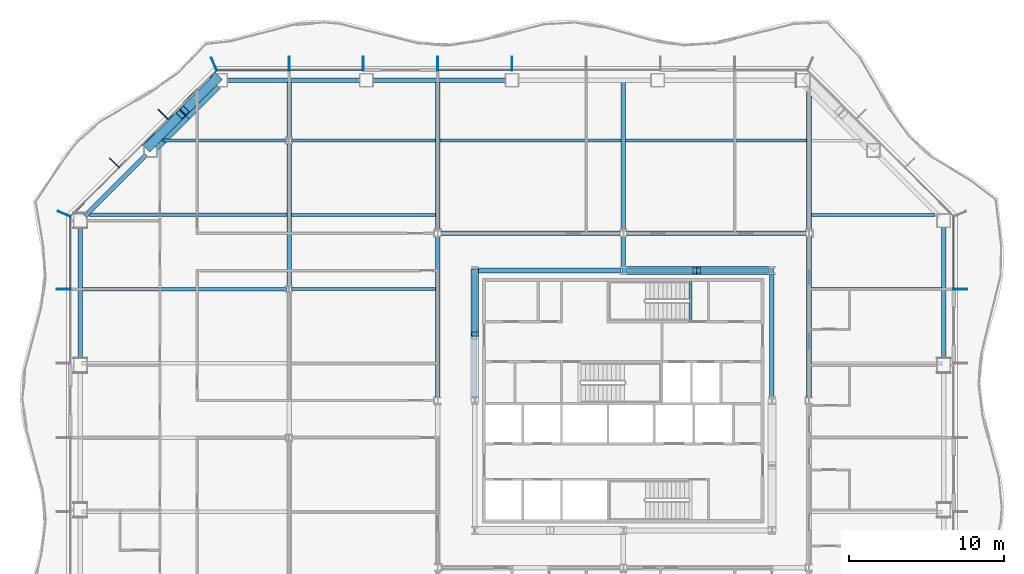
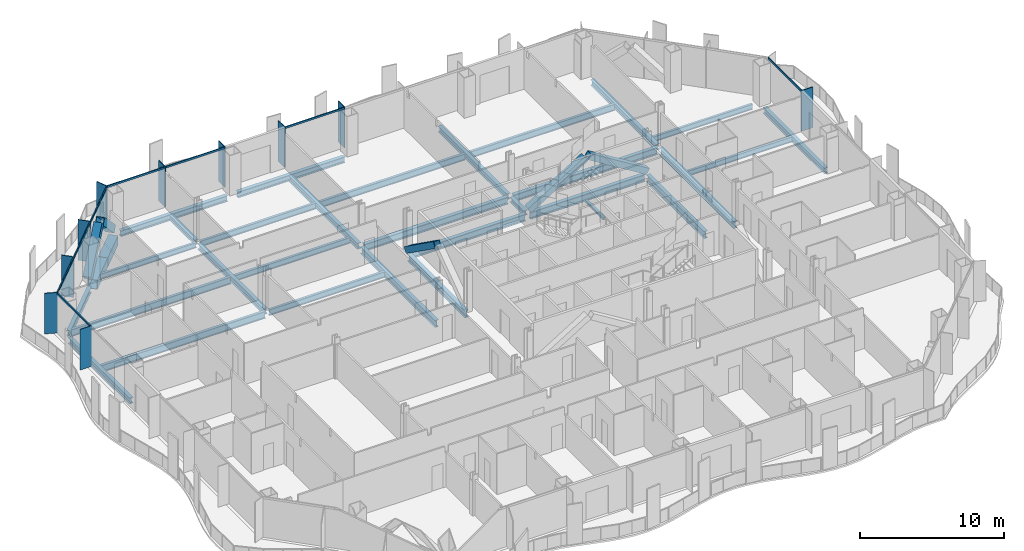
# One storey, part 3 of 20: 32 beams, 23 members, 4 elements without a shape of their own.
"""IFC4 building model written with IfcOpenShell, lengths in metres."""

import ifcopenshell
import ifcopenshell.guid

model = None  # the IFC model being written
_history = None  # IfcOwnerHistory: only IFC2X3 demands one
_inside = {}  # id of a spatial element -> (the spatial element, [elements in it])
_under = {}  # id of a project, library or spatial element -> (it, [spatial elements below it])
_declared = {}  # id of a project -> (the project, [libraries it declares])
_typed = {}  # id of a type object -> (the type object, [elements of that type])
_made_of = {}  # id of a material, layer set ... -> (it, [elements and type objects made of it])


def new_model(schema):
    """Start an empty IFC model of exactly this schema.

    Asked for "IFC4X3", IfcOpenShell would pick the latest addendum, in which some entities
    have other attributes; the version numbers below select the first issue.
    IFC2X3 requires an IfcOwnerHistory on every rooted entity: one is made here for all.
    """
    global model, _history
    if schema == "IFC4X3":
        model = ifcopenshell.file(schema_version=(4, 3, 0, 0))
    else:
        model = ifcopenshell.file(schema=schema)
    _inside.clear()
    _under.clear()
    _declared.clear()
    _typed.clear()
    _made_of.clear()
    _history = None
    if model.schema == "IFC2X3":
        org = make("IfcOrganization", Name="unknown")
        user = make(
            "IfcPersonAndOrganization",
            ThePerson=make("IfcPerson", FamilyName="unknown"),
            TheOrganization=org,
        )
        app = make(
            "IfcApplication",
            ApplicationDeveloper=org,
            Version="unknown",
            ApplicationFullName="unknown",
            ApplicationIdentifier="unknown",
        )
        _history = make(
            "IfcOwnerHistory",
            OwningUser=user,
            OwningApplication=app,
            ChangeAction="ADDED",
            CreationDate=0,
        )
    return model


def make(cls, **values):
    """One entity of the class cls with the attributes given. An attribute that is None is left unset."""
    return model.create_entity(
        cls, **{name: value for name, value in values.items() if value is not None}
    )


def rooted(cls, **values):
    """An entity with a GlobalId (a new one), such as an element, a storey or a relation."""
    return make(cls, GlobalId=ifcopenshell.guid.new(), OwnerHistory=_history, **values)


def si_unit(unit_type, name, prefix=None):
    """IfcSIUnit, for example si_unit("LENGTHUNIT", "METRE", prefix="MILLI")."""
    return make("IfcSIUnit", UnitType=unit_type, Prefix=prefix, Name=name)


def assignment(units):
    """IfcUnitAssignment: the units of a project."""
    return None if units is None else make("IfcUnitAssignment", Units=units)


def point(xyz):
    """IfcCartesianPoint."""
    return None if xyz is None else make("IfcCartesianPoint", Coordinates=xyz)


def direction(xyz):
    """IfcDirection."""
    return None if xyz is None else make("IfcDirection", DirectionRatios=xyz)


def frame(location, z_axis=None, x_axis=None):
    """IfcAxis2Placement3D, a coordinate frame: its origin and axes. An axis left out is left unset."""
    return make(
        "IfcAxis2Placement3D",
        Location=point(location),
        Axis=direction(z_axis),
        RefDirection=direction(x_axis),
    )


def frame_2d(location, x_axis=None):
    """IfcAxis2Placement2D, a coordinate frame in the plane: its origin and x axis."""
    return make(
        "IfcAxis2Placement2D", Location=point(location), RefDirection=direction(x_axis)
    )


def origin():
    """The frame at (0, 0, 0) with its axes left unset."""
    return frame((0.0, 0.0, 0.0))


def origin_2d():
    """The frame at (0, 0) in the plane with its x axis left unset."""
    return frame_2d((0.0, 0.0))


def place(relative_to, where):
    """IfcLocalPlacement: puts the frame where relative to a parent placement (None: the world)."""
    return make(
        "IfcLocalPlacement", PlacementRelTo=relative_to, RelativePlacement=where
    )


def context(
    kind, dimensions, precision=None, world=None, true_north=None, identifier=None
):
    """IfcGeometricRepresentationContext, for example the 3D "Model" context."""
    return make(
        "IfcGeometricRepresentationContext",
        ContextIdentifier=identifier,
        ContextType=kind,
        CoordinateSpaceDimension=dimensions,
        Precision=precision,
        WorldCoordinateSystem=world,
        TrueNorth=true_north,
    )


def subcontext(parent, identifier, kind, view, scale=None):
    """IfcGeometricRepresentationSubContext, for example "Body" below "Model"."""
    return make(
        "IfcGeometricRepresentationSubContext",
        ContextIdentifier=identifier,
        ContextType=kind,
        ParentContext=parent,
        TargetScale=scale,
        TargetView=view,
    )


def project(units=None, contexts=None):
    """IfcProject with its units and contexts."""
    return rooted(
        "IfcProject",
        Name="project",
        RepresentationContexts=contexts,
        UnitsInContext=assignment(units),
    )


def spatial(cls, under=None, at=None, **own):
    """A site, building, storey or space (cls), placed at a placement, below another one or the project."""
    s = rooted(cls, ObjectPlacement=at, **own)
    if under is not None:
        _under.setdefault(under.id(), (under, []))[1].append(s)
    return s


def profile(cls, at=None, kind="AREA", **sizes):
    """A parametric profile (cls). Its sizes go by their IFC names, for example OverallWidth=200.0."""
    return make(cls, ProfileType=kind, Position=at, **sizes)


def rectangle(**sizes):
    """IfcRectangleProfileDef."""
    return profile("IfcRectangleProfileDef", **sizes)


def hollow_rectangle(**sizes):
    """IfcRectangleHollowProfileDef."""
    return profile("IfcRectangleHollowProfileDef", **sizes)


def i_section(**sizes):
    """IfcIShapeProfileDef."""
    return profile("IfcIShapeProfileDef", **sizes)


def extrude(swept, where, along, depth):
    """IfcExtrudedAreaSolid: the profile swept, set in the frame where, extruded along a direction by depth."""
    return make(
        "IfcExtrudedAreaSolid",
        SweptArea=swept,
        Position=where,
        ExtrudedDirection=direction(along),
        Depth=depth,
    )


def shape(context_of_items, identifier, shape_type, items):
    """IfcShapeRepresentation: the items that make up one representation, for example the "Body"."""
    return make(
        "IfcShapeRepresentation",
        ContextOfItems=context_of_items,
        RepresentationIdentifier=identifier,
        RepresentationType=shape_type,
        Items=items,
    )


def material(Name=None, Category=None):
    """IfcMaterial."""
    return make("IfcMaterial", Name=Name, Category=Category)


def material_profile(
    of_material, cross_section, Name=None, Category=None, Priority=None
):
    """IfcMaterialProfile: a cross section and its material."""
    return make(
        "IfcMaterialProfile",
        Name=Name,
        Material=of_material,
        Profile=cross_section,
        Priority=Priority,
        Category=Category,
    )


def profile_set(profiles, Name=None, composite=None):
    """IfcMaterialProfileSet."""
    return make(
        "IfcMaterialProfileSet",
        Name=Name,
        MaterialProfiles=profiles,
        CompositeProfile=composite,
    )


def made_of(thing, what):
    """Note that an element or type object is made of a material, layer set ...; save() writes the relation."""
    if what is not None:
        _made_of.setdefault(what.id(), (what, []))[1].append(thing)
    return thing


def type_object(cls, material=None, **own):
    """A type object (cls), such as IfcWallType, which elements share."""
    return made_of(rooted(cls, **own), material)


def element(
    cls,
    number,
    at=None,
    inside=None,
    cuts=None,
    type_object=None,
    material=None,
    context=None,
    identifier="Body",
    shape_type=None,
    held_by="IfcProductDefinitionShape",
    body=None,
    shapes=None,
    **own,
):
    """One element of the class cls, such as IfcWall. Its Tag is "e" and its number.

    at: its placement. inside: the storey or other place that contains it. cuts: it is an
    opening in that element (IfcRelVoidsElement). A single representation is given by context,
    identifier, shape_type and body (its items); several are given by shapes. held_by: the class
    of the entity that holds the representations. save() writes the other relations.
    """
    e = rooted(cls, Tag="e%d" % number, ObjectPlacement=at, **own)
    if body is not None:
        shapes = [shape(context, identifier, shape_type, body)]
    if shapes is not None:
        e.Representation = make(held_by, Representations=shapes)
    if inside is not None:
        _inside.setdefault(inside.id(), (inside, []))[1].append(e)
    if cuts is not None:
        rooted(
            "IfcRelVoidsElement", RelatingBuildingElement=cuts, RelatedOpeningElement=e
        )
    if type_object is not None:
        _typed.setdefault(type_object.id(), (type_object, []))[1].append(e)
    return made_of(e, material)


def aggregate(whole, parts):
    """IfcRelAggregates: a whole, such as a stair, and the parts it consists of."""
    return rooted("IfcRelAggregates", RelatingObject=whole, RelatedObjects=parts)


def save(model, path):
    """Write the relations noted so far, then the file.

    IfcRelAggregates (storeys below a building ...), IfcRelContainedInSpatialStructure (elements
    in a storey), IfcRelDefinesByType, IfcRelAssociatesMaterial and IfcRelDeclares: one each for
    every whole, place, type object, material and project.
    """
    for whole, parts in _under.values():
        aggregate(whole, parts)
    for where, things in _inside.values():
        rooted(
            "IfcRelContainedInSpatialStructure",
            RelatedElements=things,
            RelatingStructure=where,
        )
    for kind, things in _typed.values():
        rooted("IfcRelDefinesByType", RelatedObjects=things, RelatingType=kind)
    for what, things in _made_of.values():
        rooted("IfcRelAssociatesMaterial", RelatedObjects=things, RelatingMaterial=what)
    for by, libraries in _declared.values():
        rooted("IfcRelDeclares", RelatingContext=by, RelatedDefinitions=libraries)
    model.write(path)


model = new_model("IFC4")

# Units and contexts
model_context = context("Model", 3, precision=1e-05, world=origin(), true_north=direction((0.0, 1.0)))
body_context = subcontext(model_context, "Body", "Model", "MODEL_VIEW")
ifc_project = project(units=[si_unit("LENGTHUNIT", "METRE"), si_unit("AREAUNIT", "SQUARE_METRE"), si_unit("VOLUMEUNIT", "CUBIC_METRE"), si_unit("PLANEANGLEUNIT", "RADIAN"), si_unit("MASSUNIT", "GRAM", prefix="KILO")], contexts=[model_context])

# Site, building, storey
site_placement = place(None, origin())
site = spatial("IfcSite", under=ifc_project, at=site_placement, CompositionType="ELEMENT")
building_placement = place(site_placement, origin())
building = spatial("IfcBuilding", under=site, at=building_placement, Name="Cairn Pilgrim Tower", CompositionType="ELEMENT")
storey_placement = place(building_placement, frame((0.0, 0.0, 83.39990234375)))
storey = spatial("IfcBuildingStorey", under=building, at=storey_placement, Name="L19", CompositionType="ELEMENT", Elevation=83.39990234375)

# Members
ifc_material_1 = material(Name="Structural steel S460M", Category="steel")
ifc_material_profile_1 = material_profile(ifc_material_1, hollow_rectangle(XDim=0.5, YDim=0.5, WallThickness=0.030029296875, at=origin_2d()), Name="BOX 500x500x30")
ifc_profile_set_1 = profile_set([ifc_material_profile_1], Name="Structural steel S460M")
member_type_1 = type_object("IfcMemberType", Name="BOX 500x500x30 BRACE", PredefinedType="BRACE", material=ifc_profile_set_1)
member_1_placement = place(storey_placement, frame((16.75634765625, 10.800048828125, 0.10009765625), z_axis=(-0.851002408489, 0.0, 0.525161785305), x_axis=(0.0, -1.0, 0.0)))
element("IfcMember", 1, at=member_1_placement, inside=storey, type_object=member_type_1, Name="KB-3A", PredefinedType="BRACE", context=body_context, shape_type="SweptSolid", body=[
    extrude(hollow_rectangle(XDim=0.5, YDim=0.5, WallThickness=0.030029296875, at=origin_2d()), origin(), (0.0, 0.0, 1.0), 5.526611328125),
])
member_2_placement = place(storey_placement, frame((7.24365234375, 10.800048828125, 0.10009765625), z_axis=(0.851007515624, 0.0, 0.525153509321), x_axis=(0.0, 1.0, 0.0)))
element("IfcMember", 2, at=member_2_placement, inside=storey, type_object=member_type_1, Name="KB-3B", PredefinedType="BRACE", context=body_context, shape_type="SweptSolid", body=[
    extrude(hollow_rectangle(XDim=0.5, YDim=0.5, WallThickness=0.030029296875, at=origin_2d()), origin(), (0.0, 0.0, 1.0), 5.37646484375),
])
member_3_placement = place(storey_placement, frame((-2.39990234375, 10.75634765625, 0.10009765625), z_axis=(0.0, -0.814198726233, 0.580586284889), x_axis=(1.0, 0.0, 0.0)))
element("IfcMember", 3, at=member_3_placement, inside=storey, type_object=member_type_1, Name="KB-4A", PredefinedType="BRACE", context=body_context, shape_type="SweptSolid", body=[
    extrude(hollow_rectangle(XDim=0.5, YDim=0.5, WallThickness=0.030029296875, at=origin_2d()), origin(), (0.0, 0.0, 1.0), 4.99658203125),
])
ifc_material_profile_2 = material_profile(ifc_material_1, hollow_rectangle(XDim=0.60009765625, YDim=0.60009765625, WallThickness=0.034912109375, at=origin_2d()), Name="BOX 600x600x35")
ifc_profile_set_2 = profile_set([ifc_material_profile_2], Name="Structural steel S460M")
member_type_2 = type_object("IfcMemberType", Name="BOX 600x600x35 BRACE", PredefinedType="BRACE", material=ifc_profile_set_2)
for number, where, z_axis, x_axis, name in (
    (4, (-19.078125, 23.2236328125, 0.150146484375), (-0.528943710525, -0.528943710525, 0.663654354459), (0.707106781187, -0.707106781187, 0.0), "XB-NW1-NW2-1"),
    (5, (-23.4873046875, 18.814697265625, 0.150146484375), (0.528960912345, 0.52889942671, 0.663675937214), (-0.70706568108, 0.707147878904, 0.0), "XB-NW1-NW2-2"),
):
    element("IfcMember", number, at=place(storey_placement, frame(where, z_axis=z_axis, x_axis=x_axis)), inside=storey, type_object=member_type_2, Name=name, PredefinedType="BRACE", context=body_context, shape_type="SweptSolid", body=[
        extrude(hollow_rectangle(XDim=0.60009765625, YDim=0.60009765625, WallThickness=0.034912109375, at=origin_2d()), origin(), (0.0, 0.0, 1.0), 3.970703125),
    ])

# Beams
ifc_material_2 = material(Name="Structural steel S355J2", Category="steel")
ifc_material_profile_3 = material_profile(ifc_material_2, hollow_rectangle(XDim=0.699951171875, YDim=0.800048828125, WallThickness=0.0400390625, at=origin_2d()), Name="BOX 700x800x40")
ifc_profile_set_3 = profile_set([ifc_material_profile_3], Name="Structural steel S355J2")
beam_type_1 = type_object("IfcBeamType", Name="BOX 700x800x40 RING GIRDER", PredefinedType="SPANDREL", material=ifc_profile_set_3)
beam_1_placement = place(storey_placement, frame((-19.113525390625, 22.813720703125, -0.5498046875), z_axis=(-0.707106781187, -0.707106781187, 0.0), x_axis=(0.707106781187, -0.707106781187, 0.0)))
element("IfcBeam", 6, at=beam_1_placement, inside=storey, type_object=beam_type_1, Name="RG1-NW1-NW2-1", PredefinedType="SPANDREL", context=body_context, shape_type="SweptSolid", body=[
    extrude(hollow_rectangle(XDim=0.699951171875, YDim=0.800048828125, WallThickness=0.0400390625, at=origin_2d()), origin(), (0.0, 0.0, 1.0), 2.802978515625),
])
beam_2_placement = place(storey_placement, frame((-21.095458984375, 20.831787109375, -0.5498046875), z_axis=(-0.707106781187, -0.707106781187, 0.0), x_axis=(0.707106781187, -0.707106781187, 0.0)))
element("IfcBeam", 7, at=beam_2_placement, inside=storey, type_object=beam_type_1, Name="RG1-NW1-NW2-2", PredefinedType="SPANDREL", context=body_context, shape_type="SweptSolid", body=[
    extrude(hollow_rectangle(XDim=0.699951171875, YDim=0.800048828125, WallThickness=0.0400390625, at=origin_2d()), origin(), (0.0, 0.0, 1.0), 2.802490234375),
])

# Curtain wall, member
ifc_material_3 = material(Name="Aluminium alloy 6063-T6 bronze anodised with Bronze tinted laminated low-E glass 8+16+8.8", Category="aluminium")
curtain_wall_type_1 = type_object("IfcCurtainWallType", Name="TOWER STICK CURTAIN WALL EW", PredefinedType="NOTDEFINED", material=ifc_material_3)
curtain_wall_1_placement = place(storey_placement, origin())
curtain_wall_1 = element("IfcCurtainWall", 8, at=curtain_wall_1_placement, inside=storey, type_object=curtain_wall_type_1, Name="Tower Stick Curtain Wall Ew E", PredefinedType="NOTDEFINED")
ifc_material_4 = material(Name="Aluminium alloy 6063-T6 bronze anodised", Category="aluminium")
ifc_material_profile_4 = material_profile(ifc_material_4, rectangle(XDim=0.89990234375, YDim=0.06005859375, at=origin_2d()), Name="FIN MULLION 60x900 BRONZE")
ifc_profile_set_4 = profile_set([ifc_material_profile_4], Name="Aluminium alloy 6063-T6 bronze anodised")
member_type_3 = type_object("IfcMemberType", Name="FIN MULLION 60x900 BRONZE", PredefinedType="MULLION", material=ifc_profile_set_4)
member_4_placement = place(storey_placement, frame((28.969970703125, 9.60009765625, 0.0), z_axis=(0.0, 0.0, 1.0), x_axis=(1.0, 0.0, 0.0)))
member_4 = element("IfcMember", 9, at=member_4_placement, type_object=member_type_3, Name="Fin mullion E6", PredefinedType="MULLION", context=body_context, shape_type="SweptSolid", body=[
    extrude(rectangle(XDim=0.89990234375, YDim=0.06005859375, at=origin_2d()), origin(), (0.0, 0.0, 1.0), 3.4501953125),
])

# Curtain wall, members
curtain_wall_type_2 = type_object("IfcCurtainWallType", Name="TOWER STICK CURTAIN WALL NS", PredefinedType="NOTDEFINED", material=ifc_material_3)
curtain_wall_2_placement = place(storey_placement, origin())
curtain_wall_2 = element("IfcCurtainWall", 10, at=curtain_wall_2_placement, inside=storey, type_object=curtain_wall_type_2, Name="Tower Stick Curtain Wall Ns N", PredefinedType="NOTDEFINED")
member_5_placement = place(storey_placement, frame((0.0, 24.169921875, 0.0), z_axis=(0.0, 0.0, 1.0), x_axis=(0.0, 1.0, 0.0)))
member_5 = element("IfcMember", 11, at=member_5_placement, type_object=member_type_3, Name="Fin mullion N5", PredefinedType="MULLION", context=body_context, shape_type="SweptSolid", body=[
    extrude(rectangle(XDim=0.89990234375, YDim=0.06005859375, at=origin_2d()), origin(), (0.0, 0.0, 1.0), 3.4501953125),
])
member_6_placement = place(storey_placement, frame((-4.800048828125, 24.169921875, 0.0), z_axis=(0.0, 0.0, 1.0), x_axis=(0.0, 1.0, 0.0)))
member_6 = element("IfcMember", 12, at=member_6_placement, type_object=member_type_3, Name="Fin mullion N6", PredefinedType="MULLION", context=body_context, shape_type="SweptSolid", body=[
    extrude(rectangle(XDim=0.89990234375, YDim=0.06005859375, at=origin_2d()), origin(), (0.0, 0.0, 1.0), 3.4501953125),
])
member_7_placement = place(storey_placement, frame((-9.60009765625, 24.169921875, 0.0), z_axis=(0.0, 0.0, 1.0), x_axis=(0.0, 1.0, 0.0)))
member_7 = element("IfcMember", 13, at=member_7_placement, type_object=member_type_3, Name="Fin mullion N7", PredefinedType="MULLION", context=body_context, shape_type="SweptSolid", body=[
    extrude(rectangle(XDim=0.89990234375, YDim=0.06005859375, at=origin_2d()), origin(), (0.0, 0.0, 1.0), 3.4501953125),
])
member_8_placement = place(storey_placement, frame((-14.39990234375, 24.169921875, 0.0), z_axis=(0.0, 0.0, 1.0), x_axis=(0.0, 1.0, 0.0)))
member_8 = element("IfcMember", 14, at=member_8_placement, type_object=member_type_3, Name="Fin mullion N8", PredefinedType="MULLION", context=body_context, shape_type="SweptSolid", body=[
    extrude(rectangle(XDim=0.89990234375, YDim=0.06005859375, at=origin_2d()), origin(), (0.0, 0.0, 1.0), 3.4501953125),
])

curtain_wall_type_3 = type_object("IfcCurtainWallType", Name="CHAMFER CORNER CURTAIN WALL", PredefinedType="NOTDEFINED", material=ifc_material_3)
curtain_wall_3_placement = place(storey_placement, origin())
curtain_wall_3 = element("IfcCurtainWall", 15, at=curtain_wall_3_placement, inside=storey, type_object=curtain_wall_type_3, Name="Chamfer Corner Curtain Wall NW", PredefinedType="NOTDEFINED")
member_9_placement = place(storey_placement, frame((-19.257080078125, 24.137939453125, 0.0), z_axis=(0.0, 0.0, 1.0), x_axis=(-0.382683432365, 0.923879532511, 0.0)))
member_9 = element("IfcMember", 16, at=member_9_placement, type_object=member_type_3, Name="Fin mullion NW1", PredefinedType="MULLION", context=body_context, shape_type="SweptSolid", body=[
    extrude(rectangle(XDim=0.89990234375, YDim=0.06005859375, at=origin_2d()), origin(), (0.0, 0.0, 1.0), 3.4501953125),
])
member_10_placement = place(storey_placement, frame((-22.544677734375, 20.895751953125, 0.0), z_axis=(0.0, 0.0, 1.0), x_axis=(-0.707106781187, 0.707106781187, 0.0)))
member_10 = element("IfcMember", 17, at=member_10_placement, type_object=member_type_3, Name="Fin mullion NW2", PredefinedType="MULLION", context=body_context, shape_type="SweptSolid", body=[
    extrude(rectangle(XDim=0.89990234375, YDim=0.06005859375, at=origin_2d()), origin(), (0.0, 0.0, 1.0), 3.4501953125),
])
member_11_placement = place(storey_placement, frame((-25.69580078125, 17.74462890625, 0.0), z_axis=(0.0, 0.0, 1.0), x_axis=(-0.707106781187, 0.707106781187, 0.0)))
member_11 = element("IfcMember", 18, at=member_11_placement, type_object=member_type_3, Name="Fin mullion NW3", PredefinedType="MULLION", context=body_context, shape_type="SweptSolid", body=[
    extrude(rectangle(XDim=0.89990234375, YDim=0.06005859375, at=origin_2d()), origin(), (0.0, 0.0, 1.0), 3.4501953125),
])

curtain_wall_4_placement = place(storey_placement, origin())
curtain_wall_4 = element("IfcCurtainWall", 19, at=curtain_wall_4_placement, inside=storey, type_object=curtain_wall_type_1, Name="Tower Stick Curtain Wall Ew W", PredefinedType="NOTDEFINED")
member_12_placement = place(storey_placement, frame((-28.93798828125, 14.457275390625, 0.0), z_axis=(0.0, 0.0, 1.0), x_axis=(-0.923879532511, 0.382683432365, 0.0)))
member_12 = element("IfcMember", 20, at=member_12_placement, type_object=member_type_3, Name="Fin mullion W1", PredefinedType="MULLION", context=body_context, shape_type="SweptSolid", body=[
    extrude(rectangle(XDim=0.89990234375, YDim=0.06005859375, at=origin_2d()), origin(), (0.0, 0.0, 1.0), 3.4501953125),
])
member_13_placement = place(storey_placement, frame((-28.969970703125, 9.60009765625, 0.0), z_axis=(0.0, 0.0, 1.0), x_axis=(-1.0, 0.0, 0.0)))
member_13 = element("IfcMember", 21, at=member_13_placement, type_object=member_type_3, Name="Fin mullion W2", PredefinedType="MULLION", context=body_context, shape_type="SweptSolid", body=[
    extrude(rectangle(XDim=0.89990234375, YDim=0.06005859375, at=origin_2d()), origin(), (0.0, 0.0, 1.0), 3.4501953125),
])

# Beams
ifc_material_profile_5 = material_profile(ifc_material_2, i_section(OverallWidth=0.300048828125, OverallDepth=0.39990234375, WebThickness=0.013427734375, FlangeThickness=0.02392578125, FilletRadius=0.027099609375, at=origin_2d()), Name="HEB 400")
ifc_profile_set_5 = profile_set([ifc_material_profile_5], Name="Structural steel S355J2")
beam_type_2 = type_object("IfcBeamType", Name="HEB 400 GIRDER", PredefinedType="BEAM", material=ifc_profile_set_5)
beam_3_placement = place(storey_placement, frame((-14.39990234375, 19.404541015625, -0.349853515625), z_axis=(0.0, 1.0, 0.0), x_axis=(-1.0, 0.0, 0.0)))
element("IfcBeam", 22, at=beam_3_placement, inside=storey, type_object=beam_type_2, Name="PG1-6", PredefinedType="BEAM", context=body_context, shape_type="SweptSolid", body=[
    extrude(i_section(OverallWidth=0.300048828125, OverallDepth=0.39990234375, WebThickness=0.013427734375, FlangeThickness=0.02392578125, FilletRadius=0.027099609375, at=origin_2d()), origin(), (0.0, 0.0, 1.0), 3.575439453125),
])
beam_4_placement = place(storey_placement, frame((7.199951171875, 11.0185546875, -0.349853515625), z_axis=(0.0, 1.0, 0.0), x_axis=(-1.0, 0.0, 0.0)))
element("IfcBeam", 23, at=beam_4_placement, inside=storey, type_object=beam_type_2, Name="PG3-E2", PredefinedType="BEAM", context=body_context, shape_type="SweptSolid", body=[
    extrude(i_section(OverallWidth=0.300048828125, OverallDepth=0.39990234375, WebThickness=0.013427734375, FlangeThickness=0.02392578125, FilletRadius=0.027099609375, at=origin_2d()), origin(), (0.0, 0.0, 1.0), 1.969482421875),
])
ifc_material_profile_6 = material_profile(ifc_material_2, i_section(OverallWidth=0.300048828125, OverallDepth=0.5, WebThickness=0.014404296875, FlangeThickness=0.028076171875, FilletRadius=0.027099609375, at=origin_2d()), Name="HEB 500")
ifc_profile_set_6 = profile_set([ifc_material_profile_6], Name="Structural steel S355J2")
beam_type_3 = type_object("IfcBeamType", Name="HEB 500 GIRDER", PredefinedType="BEAM", material=ifc_profile_set_6)
beam_5_placement = place(storey_placement, frame((-14.39990234375, 9.804443359375, -0.39990234375), z_axis=(0.0, 1.0, 0.0), x_axis=(-1.0, 0.0, 0.0)))
element("IfcBeam", 24, at=beam_5_placement, inside=storey, type_object=beam_type_3, Name="PG1-5", PredefinedType="BEAM", context=body_context, shape_type="SweptSolid", body=[
    extrude(i_section(OverallWidth=0.300048828125, OverallDepth=0.5, WebThickness=0.014404296875, FlangeThickness=0.028076171875, FilletRadius=0.027099609375, at=origin_2d()), origin(), (0.0, 0.0, 1.0), 9.191162109375),
])
for number, where, z_axis, x_axis, name in (
    (25, (-4.800048828125, 13.412109375, -0.39990234375), (0.0, 1.0, 0.0), (-1.0, 0.0, 0.0), "PG2-4"),
    (26, (7.199951171875, 13.412109375, -0.39990234375), (0.0, 1.0, 0.0), (-1.0, 0.0, 0.0), "PG3-2"),
):
    element("IfcBeam", number, at=place(storey_placement, frame(where, z_axis=z_axis, x_axis=x_axis)), inside=storey, type_object=beam_type_3, Name=name, PredefinedType="BEAM", context=body_context, shape_type="SweptSolid", body=[
        extrude(i_section(OverallWidth=0.300048828125, OverallDepth=0.5, WebThickness=0.014404296875, FlangeThickness=0.028076171875, FilletRadius=0.027099609375, at=origin_2d()), origin(), (0.0, 0.0, 1.0), 9.56787109375),
    ])
beam_6_placement = place(storey_placement, frame((19.199951171875, 13.412109375, -0.39990234375), z_axis=(0.0, 1.0, 0.0), x_axis=(-1.0, 0.0, 0.0)))
element("IfcBeam", 27, at=beam_6_placement, inside=storey, type_object=beam_type_3, Name="PG4-4", PredefinedType="BEAM", context=body_context, shape_type="SweptSolid", body=[
    extrude(i_section(OverallWidth=0.300048828125, OverallDepth=0.5, WebThickness=0.014404296875, FlangeThickness=0.028076171875, FilletRadius=0.027099609375, at=origin_2d()), origin(), (0.0, 0.0, 1.0), 9.133056640625),
])
ifc_material_profile_7 = material_profile(ifc_material_2, i_section(OverallWidth=0.300048828125, OverallDepth=0.5, WebThickness=0.014404296875, FlangeThickness=0.028076171875, FilletRadius=0.027099609375, at=origin_2d()), Name="HEB 500")
ifc_profile_set_7 = profile_set([ifc_material_profile_7], Name="Structural steel S355J2")
beam_type_4 = type_object("IfcBeamType", Name="HEB 500 RING GIRDER", PredefinedType="SPANDREL", material=ifc_profile_set_7)
beam_7_placement = place(storey_placement, frame((27.89990234375, 5.080810546875, -0.39990234375), z_axis=(0.0, 1.0, 0.0), x_axis=(-1.0, 0.0, 0.0)))
element("IfcBeam", 28, at=beam_7_placement, inside=storey, type_object=beam_type_4, Name="RG1-E3-NE1", PredefinedType="SPANDREL", context=body_context, shape_type="SweptSolid", body=[
    extrude(i_section(OverallWidth=0.300048828125, OverallDepth=0.5, WebThickness=0.014404296875, FlangeThickness=0.028076171875, FilletRadius=0.027099609375, at=origin_2d()), origin(), (0.0, 0.0, 1.0), 8.54150390625),
])
for number, where, z_axis, x_axis, name in (
    (29, (-0.405029296875, 23.10009765625, -0.39990234375), (-1.0, 0.0, 0.0), (0.0, -1.0, 0.0), "RG1-N3-N4"),
    (30, (-9.818603515625, 23.10009765625, -0.39990234375), (-1.0, 0.0, 0.0), (0.0, -1.0, 0.0), "RG1-N4-NW1"),
):
    element("IfcBeam", number, at=place(storey_placement, frame(where, z_axis=z_axis, x_axis=x_axis)), inside=storey, type_object=beam_type_4, Name=name, PredefinedType="SPANDREL", context=body_context, shape_type="SweptSolid", body=[
        extrude(i_section(OverallWidth=0.300048828125, OverallDepth=0.5, WebThickness=0.014404296875, FlangeThickness=0.028076171875, FilletRadius=0.027099609375, at=origin_2d()), origin(), (0.0, 0.0, 1.0), 8.603515625),
    ])
beam_8_placement = place(storey_placement, frame((-23.64990234375, 18.277099609375, -0.39990234375), z_axis=(-0.707128558756, -0.707085002947, 0.0), x_axis=(0.707085002947, -0.707128558756, 0.0)))
element("IfcBeam", 31, at=beam_8_placement, inside=storey, type_object=beam_type_4, Name="RG1-NW2-W1", PredefinedType="SPANDREL", context=body_context, shape_type="SweptSolid", body=[
    extrude(i_section(OverallWidth=0.300048828125, OverallDepth=0.5, WebThickness=0.014404296875, FlangeThickness=0.028076171875, FilletRadius=0.027099609375, at=origin_2d()), origin(), (0.0, 0.0, 1.0), 5.605224609375),
])
beam_9_placement = place(storey_placement, frame((-27.89990234375, 13.622314453125, -0.39990234375), z_axis=(0.0, -1.0, 0.0), x_axis=(1.0, 0.0, 0.0)))
element("IfcBeam", 32, at=beam_9_placement, inside=storey, type_object=beam_type_4, Name="RG1-W1-W2", PredefinedType="SPANDREL", context=body_context, shape_type="SweptSolid", body=[
    extrude(i_section(OverallWidth=0.300048828125, OverallDepth=0.5, WebThickness=0.014404296875, FlangeThickness=0.028076171875, FilletRadius=0.027099609375, at=origin_2d()), origin(), (0.0, 0.0, 1.0), 8.54150390625),
])
ifc_material_profile_8 = material_profile(ifc_material_2, i_section(OverallWidth=0.300048828125, OverallDepth=0.60009765625, WebThickness=0.015380859375, FlangeThickness=0.030029296875, FilletRadius=0.027099609375, at=origin_2d()), Name="HEB 600")
ifc_profile_set_8 = profile_set([ifc_material_profile_8], Name="Structural steel S355J2")
beam_type_5 = type_object("IfcBeamType", Name="HEB 600 CORE BEAM", PredefinedType="BEAM", material=ifc_profile_set_8)
beam_10_placement = place(storey_placement, frame((16.800048828125, 2.5966796875, -0.449951171875), z_axis=(0.0, 1.0, 0.0), x_axis=(-1.0, 0.0, 0.0)))
element("IfcBeam", 33, at=beam_10_placement, inside=storey, type_object=beam_type_5, Name="CB-4", PredefinedType="BEAM", context=body_context, shape_type="SweptSolid", body=[
    extrude(i_section(OverallWidth=0.300048828125, OverallDepth=0.60009765625, WebThickness=0.015380859375, FlangeThickness=0.030029296875, FilletRadius=0.027099609375, at=origin_2d()), origin(), (0.0, 0.0, 1.0), 8.0068359375),
])
beam_11_placement = place(storey_placement, frame((16.603271484375, 10.800048828125, -0.449951171875), z_axis=(-1.0, 0.0, 0.0), x_axis=(0.0, -1.0, 0.0)))
element("IfcBeam", 34, at=beam_11_placement, inside=storey, type_object=beam_type_5, Name="CB-5", PredefinedType="BEAM", context=body_context, shape_type="SweptSolid", body=[
    extrude(i_section(OverallWidth=0.300048828125, OverallDepth=0.60009765625, WebThickness=0.015380859375, FlangeThickness=0.030029296875, FilletRadius=0.027099609375, at=origin_2d()), origin(), (0.0, 0.0, 1.0), 9.20654296875),
])
beam_12_placement = place(storey_placement, frame((7.00341796875, 10.800048828125, -0.449951171875), z_axis=(-1.0, 0.0, 0.0), x_axis=(0.0, -1.0, 0.0)))
element("IfcBeam", 35, at=beam_12_placement, inside=storey, type_object=beam_type_5, Name="CB-6", PredefinedType="BEAM", context=body_context, shape_type="SweptSolid", body=[
    extrude(i_section(OverallWidth=0.300048828125, OverallDepth=0.60009765625, WebThickness=0.015380859375, FlangeThickness=0.030029296875, FilletRadius=0.027099609375, at=origin_2d()), origin(), (0.0, 0.0, 1.0), 9.206787109375),
])
beam_13_placement = place(storey_placement, frame((-2.39990234375, 10.603515625, -0.449951171875), z_axis=(0.0, -1.0, 0.0), x_axis=(1.0, 0.0, 0.0)))
element("IfcBeam", 36, at=beam_13_placement, inside=storey, type_object=beam_type_5, Name="CB-7", PredefinedType="BEAM", context=body_context, shape_type="SweptSolid", body=[
    extrude(i_section(OverallWidth=0.300048828125, OverallDepth=0.60009765625, WebThickness=0.015380859375, FlangeThickness=0.030029296875, FilletRadius=0.027099609375, at=origin_2d()), origin(), (0.0, 0.0, 1.0), 8.0068359375),
])
ifc_material_profile_9 = material_profile(ifc_material_2, i_section(OverallWidth=0.300048828125, OverallDepth=0.60009765625, WebThickness=0.015380859375, FlangeThickness=0.030029296875, FilletRadius=0.027099609375, at=origin_2d()), Name="HEB 600")
ifc_profile_set_9 = profile_set([ifc_material_profile_9], Name="Structural steel S355J2")
beam_type_6 = type_object("IfcBeamType", Name="HEB 600 GIRDER", PredefinedType="BEAM", material=ifc_profile_set_9)
for number, where, z_axis, x_axis, name in (
    (37, (-4.800048828125, 2.612060546875, -0.449951171875), (0.0, 1.0, 0.0), (-1.0, 0.0, 0.0), "PG2-3"),
    (38, (19.199951171875, 2.612060546875, -0.449951171875), (0.0, 1.0, 0.0), (-1.0, 0.0, 0.0), "PG4-3"),
):
    element("IfcBeam", number, at=place(storey_placement, frame(where, z_axis=z_axis, x_axis=x_axis)), inside=storey, type_object=beam_type_6, Name=name, PredefinedType="BEAM", context=body_context, shape_type="SweptSolid", body=[
        extrude(i_section(OverallWidth=0.300048828125, OverallDepth=0.60009765625, WebThickness=0.015380859375, FlangeThickness=0.030029296875, FilletRadius=0.027099609375, at=origin_2d()), origin(), (0.0, 0.0, 1.0), 10.3759765625),
    ])
ifc_material_profile_10 = material_profile(ifc_material_2, i_section(OverallWidth=0.300048828125, OverallDepth=0.60009765625, WebThickness=0.015380859375, FlangeThickness=0.030029296875, FilletRadius=0.027099609375, at=origin_2d()), Name="HEB 600")
ifc_profile_set_10 = profile_set([ifc_material_profile_10], Name="Structural steel S355J2")
beam_type_7 = type_object("IfcBeamType", Name="HEB 600 INNER GIRDER", PredefinedType="BEAM", material=ifc_profile_set_10)
for number, where, z_axis, x_axis, name in (
    (39, (-4.587890625, 13.199951171875, -0.449951171875), (1.0, 0.0, 0.0), (0.0, 1.0, 0.0), "IG2-1"),
    (40, (7.412109375, 13.199951171875, -0.449951171875), (1.0, 0.0, 0.0), (0.0, 1.0, 0.0), "IG2-2"),
):
    element("IfcBeam", number, at=place(storey_placement, frame(where, z_axis=z_axis, x_axis=x_axis)), inside=storey, type_object=beam_type_7, Name=name, PredefinedType="BEAM", context=body_context, shape_type="SweptSolid", body=[
        extrude(i_section(OverallWidth=0.300048828125, OverallDepth=0.60009765625, WebThickness=0.015380859375, FlangeThickness=0.030029296875, FilletRadius=0.027099609375, at=origin_2d()), origin(), (0.0, 0.0, 1.0), 11.575927734375),
    ])
ifc_material_profile_11 = material_profile(ifc_material_2, i_section(OverallWidth=0.18994140625, OverallDepth=0.449951171875, WebThickness=0.009521484375, FlangeThickness=0.0146484375, FilletRadius=0.02099609375, at=origin_2d()), Name="IPE 450")
ifc_profile_set_11 = profile_set([ifc_material_profile_11], Name="Structural steel S355J2")
beam_type_8 = type_object("IfcBeamType", Name="IPE 450 SECONDARY BEAM", PredefinedType="JOIST", material=ifc_profile_set_11)
beam_14_placement = place(storey_placement, frame((19.35009765625, 9.60009765625, -0.375), z_axis=(1.0, 0.0, 0.0), x_axis=(0.0, 1.0, 0.0)))
element("IfcBeam", 41, at=beam_14_placement, inside=storey, type_object=beam_type_8, Name="SB7-3", PredefinedType="JOIST", context=body_context, shape_type="SweptSolid", body=[
    extrude(i_section(OverallWidth=0.18994140625, OverallDepth=0.449951171875, WebThickness=0.009521484375, FlangeThickness=0.0146484375, FilletRadius=0.02099609375, at=origin_2d()), origin(), (0.0, 0.0, 1.0), 8.429931640625),
])
for number, where, z_axis, x_axis, name in (
    (42, (19.35009765625, 14.39990234375, -0.375), (1.0, 0.0, 0.0), (0.0, 1.0, 0.0), "SB8-3"),
    (43, (-22.545166015625, 19.199951171875, -0.375), (1.0, 0.0, 0.0), (0.0, 1.0, 0.0), "SB9-1"),
):
    element("IfcBeam", number, at=place(storey_placement, frame(where, z_axis=z_axis, x_axis=x_axis)), inside=storey, type_object=beam_type_8, Name=name, PredefinedType="JOIST", context=body_context, shape_type="SweptSolid", body=[
        extrude(i_section(OverallWidth=0.18994140625, OverallDepth=0.449951171875, WebThickness=0.009521484375, FlangeThickness=0.0146484375, FilletRadius=0.02099609375, at=origin_2d()), origin(), (0.0, 0.0, 1.0), 7.9951171875),
    ])
ifc_material_profile_12 = material_profile(ifc_material_2, i_section(OverallWidth=0.199951171875, OverallDepth=0.5, WebThickness=0.01025390625, FlangeThickness=0.01611328125, FilletRadius=0.02099609375, at=origin_2d()), Name="IPE 500")
ifc_profile_set_12 = profile_set([ifc_material_profile_12], Name="Structural steel S355J2")
beam_type_9 = type_object("IfcBeamType", Name="IPE 500 SECONDARY BEAM", PredefinedType="JOIST", material=ifc_profile_set_12)
for number, where, z_axis, x_axis, name in (
    (44, (-14.25, 9.60009765625, -0.39990234375), (1.0, 0.0, 0.0), (0.0, 1.0, 0.0), "SB7-2"),
    (45, (-14.25, 14.39990234375, -0.39990234375), (1.0, 0.0, 0.0), (0.0, 1.0, 0.0), "SB8-2"),
    (46, (-14.25, 19.199951171875, -0.39990234375), (1.0, 0.0, 0.0), (0.0, 1.0, 0.0), "SB9-2"),
):
    element("IfcBeam", number, at=place(storey_placement, frame(where, z_axis=z_axis, x_axis=x_axis)), inside=storey, type_object=beam_type_9, Name=name, PredefinedType="JOIST", context=body_context, shape_type="SweptSolid", body=[
        extrude(i_section(OverallWidth=0.199951171875, OverallDepth=0.5, WebThickness=0.01025390625, FlangeThickness=0.01611328125, FilletRadius=0.02099609375, at=origin_2d()), origin(), (0.0, 0.0, 1.0), 9.300048828125),
    ])
ifc_material_profile_13 = material_profile(ifc_material_2, i_section(OverallWidth=0.2099609375, OverallDepth=0.550048828125, WebThickness=0.010986328125, FlangeThickness=0.01708984375, FilletRadius=0.02392578125, at=origin_2d()), Name="IPE 550")
ifc_profile_set_13 = profile_set([ifc_material_profile_13], Name="Structural steel S355J2")
beam_type_10 = type_object("IfcBeamType", Name="IPE 550 SECONDARY BEAM", PredefinedType="JOIST", material=ifc_profile_set_13)
for number, where, z_axis, x_axis, name in (
    (47, (-4.64990234375, 19.199951171875, -0.4248046875), (1.0, 0.0, 0.0), (0.0, 1.0, 0.0), "SB9-3"),
    (48, (7.35009765625, 19.199951171875, -0.4248046875), (1.0, 0.0, 0.0), (0.0, 1.0, 0.0), "SB9-4"),
):
    element("IfcBeam", number, at=place(storey_placement, frame(where, z_axis=z_axis, x_axis=x_axis)), inside=storey, type_object=beam_type_10, Name=name, PredefinedType="JOIST", context=body_context, shape_type="SweptSolid", body=[
        extrude(i_section(OverallWidth=0.2099609375, OverallDepth=0.550048828125, WebThickness=0.010986328125, FlangeThickness=0.01708984375, FilletRadius=0.02392578125, at=origin_2d()), origin(), (0.0, 0.0, 1.0), 11.699951171875),
    ])
ifc_material_profile_14 = material_profile(ifc_material_2, i_section(OverallWidth=0.219970703125, OverallDepth=0.60009765625, WebThickness=0.011962890625, FlangeThickness=0.01904296875, FilletRadius=0.02392578125, at=origin_2d()), Name="IPE 600")
ifc_profile_set_14 = profile_set([ifc_material_profile_14], Name="Structural steel S355J2")
beam_type_11 = type_object("IfcBeamType", Name="IPE 600 SECONDARY BEAM", PredefinedType="JOIST", material=ifc_profile_set_14)
beam_15_placement = place(storey_placement, frame((-27.780029296875, 9.60009765625, -0.449951171875), z_axis=(1.0, 0.0, 0.0), x_axis=(0.0, 1.0, 0.0)))
element("IfcBeam", 49, at=beam_15_placement, inside=storey, type_object=beam_type_11, Name="SB7-1", PredefinedType="JOIST", context=body_context, shape_type="SweptSolid", body=[
    extrude(i_section(OverallWidth=0.219970703125, OverallDepth=0.60009765625, WebThickness=0.011962890625, FlangeThickness=0.01904296875, FilletRadius=0.02392578125, at=origin_2d()), origin(), (0.0, 0.0, 1.0), 13.22998046875),
])
beam_16_placement = place(storey_placement, frame((-27.34521484375, 14.39990234375, -0.449951171875), z_axis=(1.0, 0.0, 0.0), x_axis=(0.0, 1.0, 0.0)))
element("IfcBeam", 50, at=beam_16_placement, inside=storey, type_object=beam_type_11, Name="SB8-1", PredefinedType="JOIST", context=body_context, shape_type="SweptSolid", body=[
    extrude(i_section(OverallWidth=0.219970703125, OverallDepth=0.60009765625, WebThickness=0.011962890625, FlangeThickness=0.01904296875, FilletRadius=0.02392578125, at=origin_2d()), origin(), (0.0, 0.0, 1.0), 12.795166015625),
])
ifc_material_profile_15 = material_profile(ifc_material_2, i_section(OverallWidth=0.199951171875, OverallDepth=0.199951171875, WebThickness=0.009033203125, FlangeThickness=0.014892578125, FilletRadius=0.01806640625, at=origin_2d()), Name="HE 200 B")
ifc_profile_set_15 = profile_set([ifc_material_profile_15], Name="Structural steel S355J2")
beam_type_12 = type_object("IfcBeamType", Name="STAIR LANDING BEAM HE 200 B", PredefinedType="BEAM", material=ifc_profile_set_15)
beam_17_placement = place(storey_placement, frame((11.5244140625, 10.10009765625, -0.25), z_axis=(0.0, -1.0, 0.0), x_axis=(1.0, 0.0, 0.0)))
element("IfcBeam", 51, at=beam_17_placement, inside=storey, type_object=beam_type_12, Name="STAIR LANDING BEAM LD-HE200B", PredefinedType="BEAM", context=body_context, shape_type="SweptSolid", body=[
    extrude(i_section(OverallWidth=0.199951171875, OverallDepth=0.199951171875, WebThickness=0.009033203125, FlangeThickness=0.014892578125, FilletRadius=0.01806640625, at=origin_2d()), origin(), (0.0, 0.0, 1.0), 2.525146484375),
])

# Member
ifc_material_profile_16 = material_profile(ifc_material_4, rectangle(XDim=0.080078125, YDim=0.14990234375, at=origin_2d()), Name="TRANSOM 80x150 BRONZE")
ifc_profile_set_16 = profile_set([ifc_material_profile_16], Name="Aluminium alloy 6063-T6 bronze anodised")
member_type_4 = type_object("IfcMemberType", Name="TRANSOM 80x150 BRONZE", PredefinedType="USERDEFINED", material=ifc_profile_set_16)
member_14_placement = place(storey_placement, frame((28.550048828125, 9.6298828125, 3.375), z_axis=(0.0, 1.0, 0.0), x_axis=(-1.0, 0.0, 0.0)))
member_14 = element("IfcMember", 52, at=member_14_placement, type_object=member_type_4, Name="Transom E6", ObjectType="TRANSOM", PredefinedType="USERDEFINED", context=body_context, shape_type="SweptSolid", body=[
    extrude(rectangle(XDim=0.080078125, YDim=0.14990234375, at=origin_2d()), origin(), (0.0, 0.0, 1.0), 4.62646484375),
])

aggregate(curtain_wall_1, [member_4, member_14])

member_15_placement = place(storey_placement, frame((-0.030029296875, 23.75, 3.375), z_axis=(-1.0, 0.0, 0.0), x_axis=(0.0, -1.0, 0.0)))
member_15 = element("IfcMember", 53, at=member_15_placement, type_object=member_type_4, Name="Transom N5", ObjectType="TRANSOM", PredefinedType="USERDEFINED", context=body_context, shape_type="SweptSolid", body=[
    extrude(rectangle(XDim=0.080078125, YDim=0.14990234375, at=origin_2d()), origin(), (0.0, 0.0, 1.0), 4.739990234375),
])

member_16_placement = place(storey_placement, frame((-9.6298828125, 23.75, 3.375), z_axis=(-1.0, 0.0, 0.0), x_axis=(0.0, -1.0, 0.0)))
member_16 = element("IfcMember", 54, at=member_16_placement, type_object=member_type_4, Name="Transom N7", ObjectType="TRANSOM", PredefinedType="USERDEFINED", context=body_context, shape_type="SweptSolid", body=[
    extrude(rectangle(XDim=0.080078125, YDim=0.14990234375, at=origin_2d()), origin(), (0.0, 0.0, 1.0), 4.740234375),
])

member_17_placement = place(storey_placement, frame((-14.429931640625, 23.75, 3.375), z_axis=(-1.0, 0.0, 0.0), x_axis=(0.0, -1.0, 0.0)))
member_17 = element("IfcMember", 55, at=member_17_placement, type_object=member_type_4, Name="Transom N8", ObjectType="TRANSOM", PredefinedType="USERDEFINED", context=body_context, shape_type="SweptSolid", body=[
    extrude(rectangle(XDim=0.080078125, YDim=0.14990234375, at=origin_2d()), origin(), (0.0, 0.0, 1.0), 4.62646484375),
])

aggregate(curtain_wall_2, [member_5, member_6, member_7, member_8, member_15, member_16, member_17])

member_18_placement = place(storey_placement, frame((-19.124755859375, 23.7216796875, 3.375), z_axis=(-0.707106781187, -0.707106781187, 0.0), x_axis=(0.707106781187, -0.707106781187, 0.0)))
member_18 = element("IfcMember", 56, at=member_18_placement, type_object=member_type_4, Name="Transom NW1", ObjectType="TRANSOM", PredefinedType="USERDEFINED", context=body_context, shape_type="SweptSolid", body=[
    extrude(rectangle(XDim=0.080078125, YDim=0.14990234375, at=origin_2d()), origin(), (0.0, 0.0, 1.0), 4.38623046875),
])

member_19_placement = place(storey_placement, frame((-22.268798828125, 20.57763671875, 3.375), z_axis=(-0.707106781187, -0.707106781187, 0.0), x_axis=(0.707106781187, -0.707106781187, 0.0)))
member_19 = element("IfcMember", 57, at=member_19_placement, type_object=member_type_4, Name="Transom NW2", ObjectType="TRANSOM", PredefinedType="USERDEFINED", context=body_context, shape_type="SweptSolid", body=[
    extrude(rectangle(XDim=0.080078125, YDim=0.14990234375, at=origin_2d()), origin(), (0.0, 0.0, 1.0), 4.396728515625),
])

member_20_placement = place(storey_placement, frame((-25.419921875, 17.426513671875, 3.375), z_axis=(-0.707106781187, -0.707106781187, 0.0), x_axis=(0.707106781187, -0.707106781187, 0.0)))
member_20 = element("IfcMember", 58, at=member_20_placement, type_object=member_type_4, Name="Transom NW3", ObjectType="TRANSOM", PredefinedType="USERDEFINED", context=body_context, shape_type="SweptSolid", body=[
    extrude(rectangle(XDim=0.080078125, YDim=0.14990234375, at=origin_2d()), origin(), (0.0, 0.0, 1.0), 4.38671875),
])

aggregate(curtain_wall_3, [member_9, member_10, member_11, member_18, member_19, member_20])

member_21_placement = place(storey_placement, frame((-28.550048828125, 14.25634765625, 3.375), z_axis=(0.0, -1.0, 0.0), x_axis=(1.0, 0.0, 0.0)))
member_21 = element("IfcMember", 59, at=member_21_placement, type_object=member_type_4, Name="Transom W1", ObjectType="TRANSOM", PredefinedType="USERDEFINED", context=body_context, shape_type="SweptSolid", body=[
    extrude(rectangle(XDim=0.080078125, YDim=0.14990234375, at=origin_2d()), origin(), (0.0, 0.0, 1.0), 4.62646484375),
])

aggregate(curtain_wall_4, [member_12, member_13, member_21])

save(model, "model.ifc")
